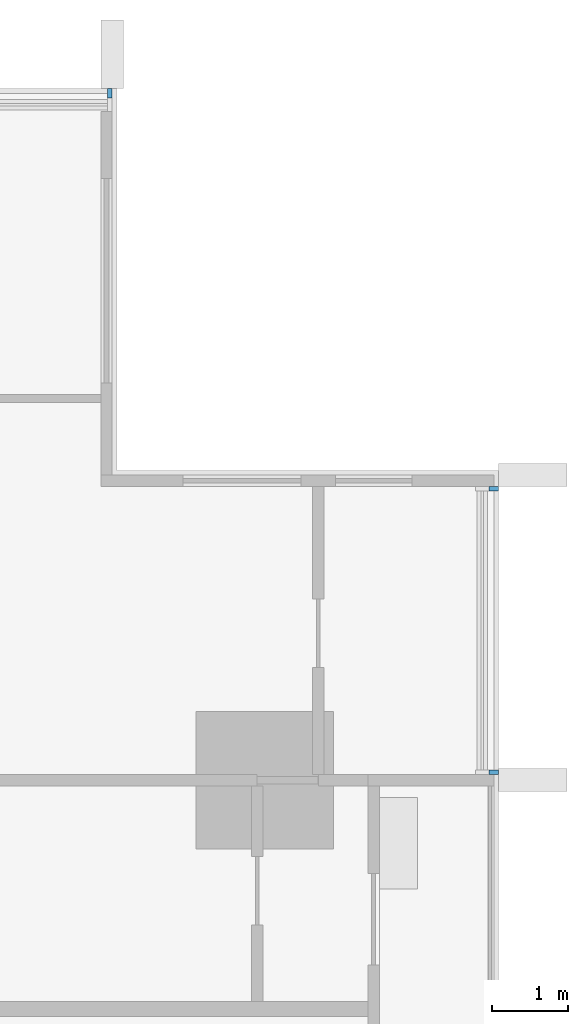
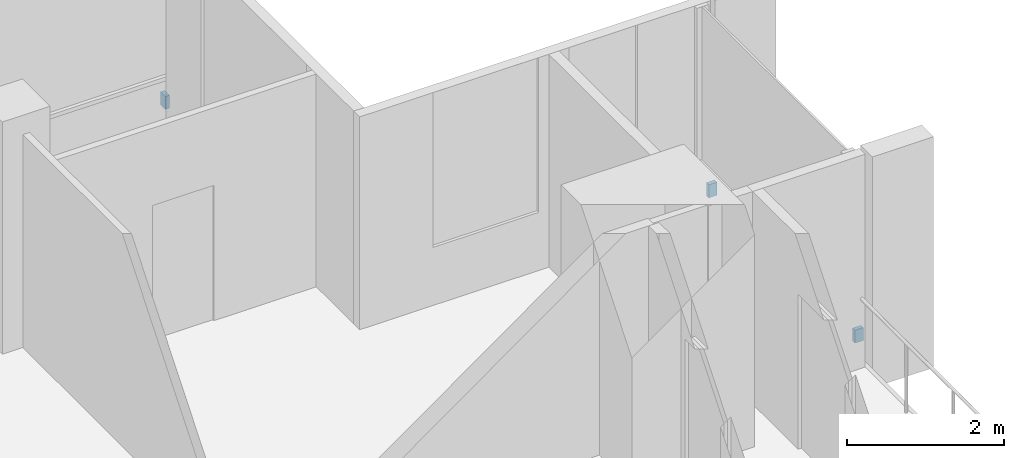
# One storey, part 15 of 16: 3 discrete accessories.
"""IFC4 building model written with IfcOpenShell, lengths in metres."""

from ifc_helpers import new_model, si_unit, direction, frame, origin, origin_2d, place, context, subcontext, project, spatial, rectangle, extrude, material, type_object, element, save


model = new_model("IFC4")

# Units and contexts
model_context = context("Model", 3, precision=1e-05, world=origin(), true_north=direction((0.0, 1.0)))
body_context = subcontext(model_context, "Body", "Model", "MODEL_VIEW")
ifc_project = project(units=[si_unit("LENGTHUNIT", "METRE"), si_unit("AREAUNIT", "SQUARE_METRE"), si_unit("VOLUMEUNIT", "CUBIC_METRE"), si_unit("PLANEANGLEUNIT", "RADIAN"), si_unit("MASSUNIT", "GRAM", prefix="KILO")], contexts=[model_context])

# Site, building, storey
site_placement = place(None, origin())
site = spatial("IfcSite", under=ifc_project, at=site_placement, CompositionType="ELEMENT")
building_placement = place(site_placement, origin())
building = spatial("IfcBuilding", under=site, at=building_placement, Name="Finial Court Residences", CompositionType="ELEMENT")
storey_placement = place(building_placement, frame((0.0, 0.0, 280.699951171875)))
storey = spatial("IfcBuildingStorey", under=building, at=storey_placement, Name="L71", CompositionType="ELEMENT", Elevation=280.699951171875)

# Discrete accessories
ifc_material = material(Name="Stainless steel 316", Category="steel")
discrete_accessory_type = type_object("IfcDiscreteAccessoryType", Name="Fin bracket, stainless steel 60 x 122 x 200", PredefinedType="BRACKET", material=ifc_material)
discrete_accessory_placement = place(storey_placement, frame((14.469970703125, 16.498779296875, 0.30029296875), z_axis=(0.0, 0.0, 1.0), x_axis=(1.0, 0.0, 0.0)))
element("IfcDiscreteAccessory", 1, at=discrete_accessory_placement, inside=storey, type_object=discrete_accessory_type, Name="E-L71-FIN-N6-BRK", PredefinedType="BRACKET", context=body_context, shape_type="SweptSolid", body=[
    extrude(rectangle(XDim=0.06005859375, YDim=0.12255859375, at=origin_2d()), origin(), (0.0, 0.0, 1.0), 0.199951171875),
])
for number, where, z_axis, x_axis, name in (
    (2, (19.498779296875, 7.60498046875, 0.30029296875), (0.0, 0.0, 1.0), (1.0, 0.0, 0.0), "E-L71-FIN-E11-BRK"),
    (3, (19.498779296875, 11.320068359375, 0.30029296875), (0.0, 0.0, 1.0), (1.0, 0.0, 0.0), "E-L71-FIN-E12-BRK"),
):
    element("IfcDiscreteAccessory", number, at=place(storey_placement, frame(where, z_axis=z_axis, x_axis=x_axis)), inside=storey, type_object=discrete_accessory_type, Name=name, PredefinedType="BRACKET", context=body_context, shape_type="SweptSolid", body=[
        extrude(rectangle(XDim=0.12255859375, YDim=0.06005859375, at=origin_2d()), origin(), (0.0, 0.0, 1.0), 0.199951171875),
    ])

save(model, "model.ifc")
